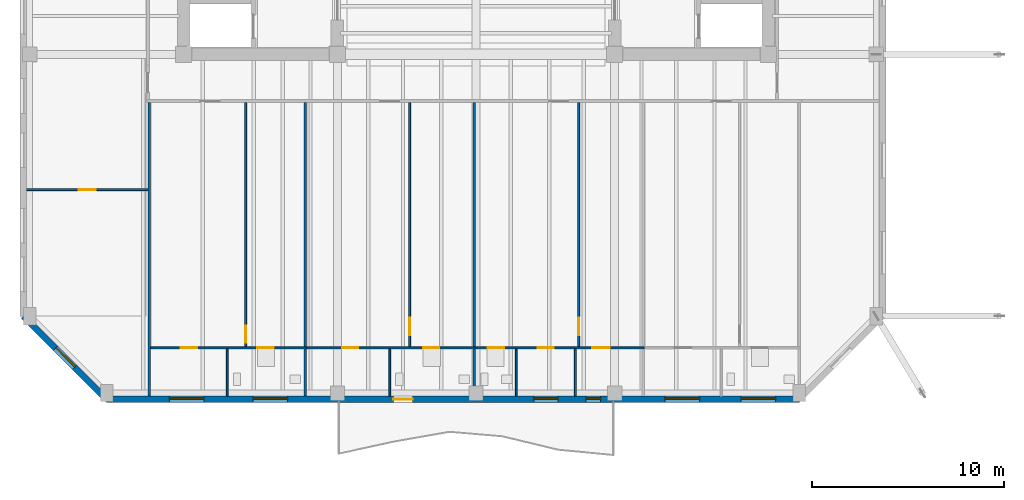
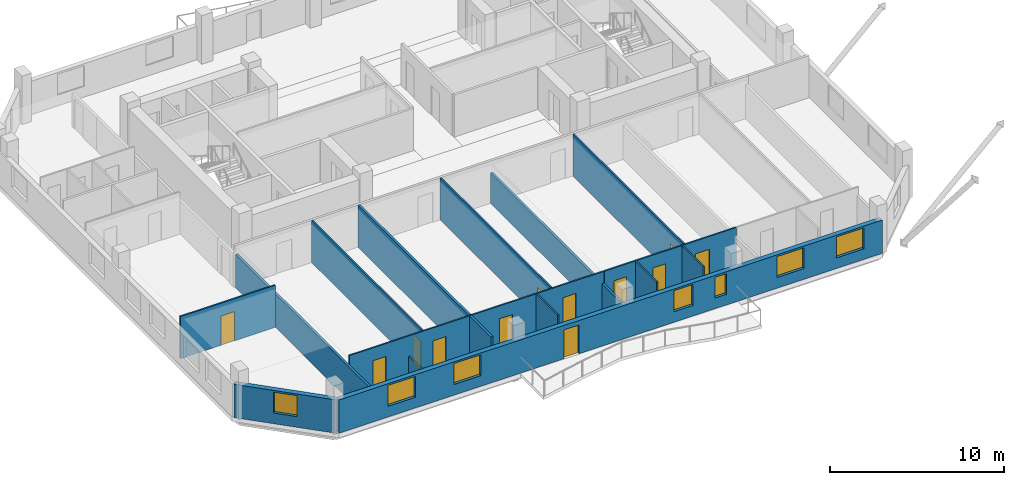
# One storey, part 4 of 12: 16 walls, 12 doors, 7 windows, 19 openings.
"""IFC4 building model written with IfcOpenShell, lengths in metres."""

from ifc_helpers import new_model, si_unit, direction, frame, frame_2d, origin, place, context, subcontext, project, spatial, rectangle, extrude, material, layer, layer_set, type_object, element, fill, save


model = new_model("IFC4")

# Units and contexts
model_context = context("Model", 3, precision=1e-05, world=origin(), true_north=direction((0.0, 1.0)))
body_context = subcontext(model_context, "Body", "Model", "MODEL_VIEW")
ifc_project = project(units=[si_unit("LENGTHUNIT", "METRE"), si_unit("AREAUNIT", "SQUARE_METRE"), si_unit("VOLUMEUNIT", "CUBIC_METRE"), si_unit("PLANEANGLEUNIT", "RADIAN"), si_unit("MASSUNIT", "GRAM", prefix="KILO")], contexts=[model_context])

# Site, building, storey
site_placement = place(None, origin())
site = spatial("IfcSite", under=ifc_project, at=site_placement, CompositionType="ELEMENT")
building_placement = place(site_placement, origin())
building = spatial("IfcBuilding", under=site, at=building_placement, Name="Kranthara Brick Stack", CompositionType="ELEMENT")
storey_placement = place(building_placement, frame((0.0, 0.0, 224.5)))
storey = spatial("IfcBuildingStorey", under=building, at=storey_placement, Name="L58", CompositionType="ELEMENT", Elevation=224.5)

# Wall, openings, door, windows
ifc_material_1 = material(Name="Warm buff clay brick masonry M15", Category="masonry")
ifc_layer_1 = layer(ifc_material_1, 0.320068359375)
ifc_layer_set_1 = layer_set([ifc_layer_1], Name="Warm buff clay brick masonry M15")
wall_type_1 = type_object("IfcWallType", Name="WL-BRK-UPPR-320", PredefinedType="STANDARD", material=ifc_layer_set_1)
wall_1_placement = place(storey_placement, frame((44.800048828125, 2.8798828125, 0.0), z_axis=(0.0, 0.0, 1.0), x_axis=(-1.0, 0.0, 0.0)))
wall_1 = element("IfcWall", 1, at=wall_1_placement, inside=storey, type_object=wall_type_1, Name="L58 Exterior Brick Facade Wall SOUTH 1", PredefinedType="STANDARD", context=body_context, shape_type="SweptSolid", body=[
    extrude(rectangle(XDim=36.0, YDim=0.320068359375, at=frame_2d((18.0, 0.0))), origin(), (0.0, 0.0, 1.0), 2.3349609375),
])
opening_1_placement = place(wall_1_placement, frame((20.10009765625, 0.0, 0.0)))
opening_1 = element("IfcOpeningElement", 2, at=opening_1_placement, cuts=wall_1, Name="Opening D03", PredefinedType="OPENING", context=body_context, shape_type="SweptSolid", body=[
    extrude(rectangle(XDim=1.0, YDim=2.02001953125, at=frame_2d((0.5, 1.010009765625))), frame((0.0, 0.169921875, 0.0), z_axis=(0.0, -1.0, 0.0), x_axis=(1.0, 0.0, 0.0)), (0.0, 0.0, 1.0), 0.340087890625),
])
opening_2_placement = place(wall_1_placement, frame((1.22705078125, 0.0, 0.75)))
opening_2 = element("IfcOpeningElement", 3, at=opening_2_placement, cuts=wall_1, Name="Opening WN07", PredefinedType="OPENING", context=body_context, shape_type="SweptSolid", body=[
    extrude(rectangle(XDim=1.800048828125, YDim=1.465087890625, at=frame_2d((0.89990234375, 0.732421875))), frame((0.0, 0.169921875, 0.0), z_axis=(0.0, -1.0, 0.0), x_axis=(1.0, 0.0, 0.0)), (0.0, 0.0, 1.0), 0.340087890625),
])
opening_3_placement = place(wall_1_placement, frame((5.179931640625, 0.0, 0.75)))
opening_3 = element("IfcOpeningElement", 4, at=opening_3_placement, cuts=wall_1, Name="Opening WN07", PredefinedType="OPENING", context=body_context, shape_type="SweptSolid", body=[
    extrude(rectangle(XDim=1.800048828125, YDim=1.465087890625, at=frame_2d((0.89990234375, 0.732421875))), frame((0.0, 0.169921875, 0.0), z_axis=(0.0, -1.0, 0.0), x_axis=(1.0, 0.0, 0.0)), (0.0, 0.0, 1.0), 0.340087890625),
])
opening_4_placement = place(wall_1_placement, frame((12.548095703125, 0.0, 0.75)))
opening_4 = element("IfcOpeningElement", 5, at=opening_4_placement, cuts=wall_1, Name="Opening WN09", PredefinedType="OPENING", context=body_context, shape_type="SweptSolid", body=[
    extrude(rectangle(XDim=1.25, YDim=1.465087890625, at=frame_2d((0.625, 0.732421875))), frame((0.0, 0.169921875, 0.0), z_axis=(0.0, -1.0, 0.0), x_axis=(1.0, 0.0, 0.0)), (0.0, 0.0, 1.0), 0.340087890625),
])
opening_5_placement = place(wall_1_placement, frame((26.5869140625, 0.0, 0.75)))
opening_5 = element("IfcOpeningElement", 6, at=opening_5_placement, cuts=wall_1, Name="Opening WN07", PredefinedType="OPENING", context=body_context, shape_type="SweptSolid", body=[
    extrude(rectangle(XDim=1.800048828125, YDim=1.465087890625, at=frame_2d((0.89990234375, 0.732421875))), frame((0.0, 0.169921875, 0.0), z_axis=(0.0, -1.0, 0.0), x_axis=(1.0, 0.0, 0.0)), (0.0, 0.0, 1.0), 0.340087890625),
])
opening_6_placement = place(wall_1_placement, frame((30.93994140625, 0.0, 0.75)))
opening_6 = element("IfcOpeningElement", 7, at=opening_6_placement, cuts=wall_1, Name="Opening WN07", PredefinedType="OPENING", context=body_context, shape_type="SweptSolid", body=[
    extrude(rectangle(XDim=1.800048828125, YDim=1.465087890625, at=frame_2d((0.89990234375, 0.732421875))), frame((0.0, 0.169921875, 0.0), z_axis=(0.0, -1.0, 0.0), x_axis=(1.0, 0.0, 0.0)), (0.0, 0.0, 1.0), 0.340087890625),
])
opening_7_placement = place(wall_1_placement, frame((10.330078125, 0.0, 0.75)))
opening_7 = element("IfcOpeningElement", 8, at=opening_7_placement, cuts=wall_1, Name="Opening WN13", PredefinedType="OPENING", context=body_context, shape_type="SweptSolid", body=[
    extrude(rectangle(XDim=0.75, YDim=1.449951171875, at=frame_2d((0.375, 0.72509765625))), frame((0.0, 0.169921875, 0.0), z_axis=(0.0, -1.0, 0.0), x_axis=(1.0, 0.0, 0.0)), (0.0, 0.0, 1.0), 0.340087890625),
])
ifc_material_2 = material(Name="Bronze anodised aluminium and laminated glass", Category="aluminium")
door_type_1 = type_object("IfcDoorType", Name="DR-BALC-1000", OperationType="NOTDEFINED", PredefinedType="DOOR", material=ifc_material_2)
door_1_placement = place(opening_1_placement, origin())
door_1 = element("IfcDoor", 9, at=door_1_placement, inside=storey, type_object=door_type_1, Name="L58 South Balcony Terrace Door", OperationType="SINGLE_SWING_LEFT", OverallHeight=2.02001953125, OverallWidth=1.0, PredefinedType="DOOR", context=body_context, shape_type="SweptSolid", body=[
    extrude(rectangle(XDim=1.0, YDim=2.02001953125, at=frame_2d((0.5, 1.010009765625))), frame((0.0, 0.02490234375, 0.0), z_axis=(0.0, -1.0, 0.0), x_axis=(1.0, 0.0, 0.0)), (0.0, 0.0, 1.0), 0.050048828125),
])
fill(opening_1, door_1)
ifc_material_3 = material(Name="Double-glazed low-E solar control glass", Category="glass")
window_type_1 = type_object("IfcWindowType", Name="WN-CAS-750x1450", PartitioningType="SINGLE_PANEL", PredefinedType="WINDOW", material=ifc_material_3)
window_1_placement = place(opening_7_placement, origin())
window_1 = element("IfcWindow", 10, at=window_1_placement, inside=storey, type_object=window_type_1, Name="L58 South Deep-Set Casement Window 06", OverallHeight=1.449951171875, OverallWidth=0.75, PartitioningType="SINGLE_PANEL", PredefinedType="WINDOW", context=body_context, shape_type="SweptSolid", body=[
    extrude(rectangle(XDim=0.75, YDim=1.449951171875, at=frame_2d((0.375, 0.72509765625))), frame((0.0, -0.010009765625, 0.0), z_axis=(0.0, -1.0, 0.0), x_axis=(1.0, 0.0, 0.0)), (0.0, 0.0, 1.0), 0.06005859375),
])
fill(opening_7, window_1)
ifc_material_4 = material(Name="Double-glazed low-E solar control glass", Category="glass")
window_type_2 = type_object("IfcWindowType", Name="WN-RES-1250x1850", PartitioningType="SINGLE_PANEL", PredefinedType="WINDOW", material=ifc_material_4)
window_2_placement = place(opening_4_placement, origin())
window_2 = element("IfcWindow", 11, at=window_2_placement, inside=storey, type_object=window_type_2, Name="L58 South Deep-Set Brick Window 03", OverallHeight=1.465087890625, OverallWidth=1.25, PartitioningType="SINGLE_PANEL", PredefinedType="WINDOW", context=body_context, shape_type="SweptSolid", body=[
    extrude(rectangle(XDim=1.25, YDim=1.465087890625, at=frame_2d((0.625, 0.732421875))), frame((0.0, -0.010009765625, 0.0), z_axis=(0.0, -1.0, 0.0), x_axis=(1.0, 0.0, 0.0)), (0.0, 0.0, 1.0), 0.06005859375),
])
fill(opening_4, window_2)
ifc_material_5 = material(Name="Double-glazed low-E solar control glass", Category="glass")
window_type_3 = type_object("IfcWindowType", Name="WN-RES-1800x1850", PartitioningType="DOUBLE_PANEL_VERTICAL", PredefinedType="WINDOW", material=ifc_material_5)
window_3_placement = place(opening_2_placement, origin())
window_3 = element("IfcWindow", 12, at=window_3_placement, inside=storey, type_object=window_type_3, Name="L58 South Deep-Set Brick Window 01", OverallHeight=1.465087890625, OverallWidth=1.800048828125, PartitioningType="SINGLE_PANEL", PredefinedType="WINDOW", context=body_context, shape_type="SweptSolid", body=[
    extrude(rectangle(XDim=1.800048828125, YDim=1.465087890625, at=frame_2d((0.89990234375, 0.732421875))), frame((0.0, -0.010009765625, 0.0), z_axis=(0.0, -1.0, 0.0), x_axis=(1.0, 0.0, 0.0)), (0.0, 0.0, 1.0), 0.06005859375),
])
fill(opening_2, window_3)
window_4_placement = place(opening_3_placement, origin())
window_4 = element("IfcWindow", 13, at=window_4_placement, inside=storey, type_object=window_type_3, Name="L58 South Deep-Set Brick Window 02", OverallHeight=1.465087890625, OverallWidth=1.800048828125, PartitioningType="SINGLE_PANEL", PredefinedType="WINDOW", context=body_context, shape_type="SweptSolid", body=[
    extrude(rectangle(XDim=1.800048828125, YDim=1.465087890625, at=frame_2d((0.89990234375, 0.732421875))), frame((0.0, -0.010009765625, 0.0), z_axis=(0.0, -1.0, 0.0), x_axis=(1.0, 0.0, 0.0)), (0.0, 0.0, 1.0), 0.06005859375),
])
fill(opening_3, window_4)
window_5_placement = place(opening_5_placement, origin())
window_5 = element("IfcWindow", 14, at=window_5_placement, inside=storey, type_object=window_type_3, Name="L58 South Deep-Set Brick Window 04", OverallHeight=1.465087890625, OverallWidth=1.800048828125, PartitioningType="SINGLE_PANEL", PredefinedType="WINDOW", context=body_context, shape_type="SweptSolid", body=[
    extrude(rectangle(XDim=1.800048828125, YDim=1.465087890625, at=frame_2d((0.89990234375, 0.732421875))), frame((0.0, -0.010009765625, 0.0), z_axis=(0.0, -1.0, 0.0), x_axis=(1.0, 0.0, 0.0)), (0.0, 0.0, 1.0), 0.06005859375),
])
fill(opening_5, window_5)
window_6_placement = place(opening_6_placement, origin())
window_6 = element("IfcWindow", 15, at=window_6_placement, inside=storey, type_object=window_type_3, Name="L58 South Deep-Set Brick Window 05", OverallHeight=1.465087890625, OverallWidth=1.800048828125, PartitioningType="SINGLE_PANEL", PredefinedType="WINDOW", context=body_context, shape_type="SweptSolid", body=[
    extrude(rectangle(XDim=1.800048828125, YDim=1.465087890625, at=frame_2d((0.89990234375, 0.732421875))), frame((0.0, -0.010009765625, 0.0), z_axis=(0.0, -1.0, 0.0), x_axis=(1.0, 0.0, 0.0)), (0.0, 0.0, 1.0), 0.06005859375),
])
fill(opening_6, window_6)

# Wall, opening, window
wall_2_placement = place(storey_placement, frame((8.800048828125, 2.8798828125, 0.0), z_axis=(0.0, 0.0, 1.0), x_axis=(-0.707106781187, 0.707106781187, 0.0)))
wall_2 = element("IfcWall", 16, at=wall_2_placement, inside=storey, type_object=wall_type_1, Name="L58 Exterior Brick Facade Wall SW 1", PredefinedType="STANDARD", context=body_context, shape_type="SweptSolid", body=[
    extrude(rectangle(XDim=6.109619140625, YDim=0.320068359375, at=frame_2d((3.0546875, 0.0))), origin(), (0.0, 0.0, 1.0), 2.3349609375),
])
opening_8_placement = place(wall_2_placement, frame((2.35498046875, 0.0, 0.75)))
opening_8 = element("IfcOpeningElement", 17, at=opening_8_placement, cuts=wall_2, Name="Opening WN10", PredefinedType="OPENING", context=body_context, shape_type="SweptSolid", body=[
    extrude(rectangle(XDim=1.39990234375, YDim=1.465087890625, at=frame_2d((0.699951171875, 0.732421875))), frame((0.0, 0.169921875, 0.0), z_axis=(0.0, -1.0, 0.0), x_axis=(1.0, 0.0, 0.0)), (0.0, 0.0, 1.0), 0.340087890625),
])
ifc_material_6 = material(Name="Double-glazed low-E solar control glass", Category="glass")
window_type_4 = type_object("IfcWindowType", Name="WN-CHM-1400x1750", PartitioningType="SINGLE_PANEL", PredefinedType="WINDOW", material=ifc_material_6)
window_7_placement = place(opening_8_placement, origin())
window_7 = element("IfcWindow", 18, at=window_7_placement, inside=storey, type_object=window_type_4, Name="L58 SW Chamfer Corner Window", OverallHeight=1.465087890625, OverallWidth=1.39990234375, PartitioningType="SINGLE_PANEL", PredefinedType="WINDOW", context=body_context, shape_type="SweptSolid", body=[
    extrude(rectangle(XDim=1.39990234375, YDim=1.465087890625, at=frame_2d((0.699951171875, 0.732421875))), frame((0.0, -0.010009765625, 0.0), z_axis=(0.0, -1.0, 0.0), x_axis=(1.0, 0.0, 0.0)), (0.0, 0.0, 1.0), 0.06005859375),
])
fill(opening_8, window_7)

# Wall, openings, doors
ifc_material_7 = material(Name="Moisture-resistant wet-room partition", Category="other")
ifc_layer_2 = layer(ifc_material_7, 0.10009765625)
ifc_layer_set_2 = layer_set([ifc_layer_2], Name="Moisture-resistant wet-room partition")
wall_type_2 = type_object("IfcWallType", Name="WL-PART-100", PredefinedType="PARTITIONING", material=ifc_layer_set_2)
wall_3_placement = place(storey_placement, frame((11.10009765625, 5.550048828125, 0.0), z_axis=(0.0, 0.0, 1.0), x_axis=(1.0, 0.0, 0.0)))
wall_3 = element("IfcWall", 19, at=wall_3_placement, inside=storey, type_object=wall_type_2, Name="L58 Interior Partition 012", PredefinedType="PARTITIONING", context=body_context, shape_type="SweptSolid", body=[
    extrude(rectangle(XDim=8.06689453125, YDim=0.10009765625, at=frame_2d((4.033447265625, 0.0))), origin(), (0.0, 0.0, 1.0), 2.949951171875),
])
opening_9_placement = place(wall_3_placement, frame((1.56201171875, 0.0, 0.0)))
opening_9 = element("IfcOpeningElement", 20, at=opening_9_placement, cuts=wall_3, Name="Opening D16", PredefinedType="OPENING", context=body_context, shape_type="SweptSolid", body=[
    extrude(rectangle(XDim=0.85009765625, YDim=2.050048828125, at=frame_2d((0.425048828125, 1.02490234375))), frame((0.0, 0.06005859375, 0.0), z_axis=(0.0, -1.0, 0.0), x_axis=(1.0, 0.0, 0.0)), (0.0, 0.0, 1.0), 0.1201171875),
])
opening_10_placement = place(wall_3_placement, frame((5.534912109375, 0.0, 0.0)))
opening_10 = element("IfcOpeningElement", 21, at=opening_10_placement, cuts=wall_3, Name="Opening D17", PredefinedType="OPENING", context=body_context, shape_type="SweptSolid", body=[
    extrude(rectangle(XDim=0.85009765625, YDim=2.050048828125, at=frame_2d((0.425048828125, 1.02490234375))), frame((0.0, 0.06005859375, 0.0), z_axis=(0.0, -1.0, 0.0), x_axis=(1.0, 0.0, 0.0)), (0.0, 0.0, 1.0), 0.1201171875),
])
ifc_material_8 = material(Name="Solid-core hardwood timber leaf in steel frame", Category="steel")
door_type_2 = type_object("IfcDoorType", Name="DR-INT-850", OperationType="NOTDEFINED", PredefinedType="DOOR", material=ifc_material_8)
door_2_placement = place(opening_9_placement, origin())
door_2 = element("IfcDoor", 22, at=door_2_placement, inside=storey, type_object=door_type_2, Name="L58 Unit L58A Kitchen 10", OperationType="SINGLE_SWING_RIGHT", OverallHeight=2.050048828125, OverallWidth=0.85009765625, PredefinedType="DOOR", context=body_context, shape_type="SweptSolid", body=[
    extrude(rectangle(XDim=0.85009765625, YDim=2.050048828125, at=frame_2d((0.425048828125, 1.02490234375))), frame((0.0, 0.02490234375, 0.0), z_axis=(0.0, -1.0, 0.0), x_axis=(1.0, 0.0, 0.0)), (0.0, 0.0, 1.0), 0.050048828125),
])
fill(opening_9, door_2)
ifc_material_9 = material(Name="Solid-core hardwood timber leaf in steel frame", Category="steel")
door_type_3 = type_object("IfcDoorType", Name="DR-WET-850", OperationType="NOTDEFINED", PredefinedType="DOOR", material=ifc_material_9)
door_3_placement = place(opening_10_placement, origin())
door_3 = element("IfcDoor", 23, at=door_3_placement, inside=storey, type_object=door_type_3, Name="L58 Unit L58A Bathroom 11", OperationType="SINGLE_SWING_LEFT", OverallHeight=2.050048828125, OverallWidth=0.85009765625, PredefinedType="DOOR", context=body_context, shape_type="SweptSolid", body=[
    extrude(rectangle(XDim=0.85009765625, YDim=2.050048828125, at=frame_2d((0.425048828125, 1.02490234375))), frame((0.0, 0.02490234375, 0.0), z_axis=(0.0, -1.0, 0.0), x_axis=(1.0, 0.0, 0.0)), (0.0, 0.0, 1.0), 0.050048828125),
])
fill(opening_10, door_3)

# Wall, opening, door
wall_4_placement = place(storey_placement, frame((16.027099609375, 5.60498046875, 0.0), z_axis=(0.0, 0.0, 1.0), x_axis=(0.0, 1.0, 0.0)))
wall_4 = element("IfcWall", 24, at=wall_4_placement, inside=storey, type_object=wall_type_2, Name="L58 Interior Partition 013", PredefinedType="PARTITIONING", context=body_context, shape_type="SweptSolid", body=[
    extrude(rectangle(XDim=12.695068359375, YDim=0.10009765625, at=frame_2d((6.34765625, 0.0))), origin(), (0.0, 0.0, 1.0), 2.949951171875),
])
opening_11_placement = place(wall_4_placement, frame((0.205078125, 0.0, 0.0)))
opening_11 = element("IfcOpeningElement", 25, at=opening_11_placement, cuts=wall_4, Name="Opening D15", PredefinedType="OPENING", context=body_context, shape_type="SweptSolid", body=[
    extrude(rectangle(XDim=0.89990234375, YDim=2.050048828125, at=frame_2d((0.449951171875, 1.02490234375))), frame((0.0, 0.06005859375, 0.0), z_axis=(0.0, -1.0, 0.0), x_axis=(1.0, 0.0, 0.0)), (0.0, 0.0, 1.0), 0.1201171875),
])
ifc_material_10 = material(Name="Solid-core hardwood timber leaf in steel frame", Category="steel")
door_type_4 = type_object("IfcDoorType", Name="DR-INT-900", OperationType="NOTDEFINED", PredefinedType="DOOR", material=ifc_material_10)
door_4_placement = place(opening_11_placement, origin())
door_4 = element("IfcDoor", 26, at=door_4_placement, inside=storey, type_object=door_type_4, Name="L58 Unit L58A Study 09", OperationType="SINGLE_SWING_LEFT", OverallHeight=2.050048828125, OverallWidth=0.89990234375, PredefinedType="DOOR", context=body_context, shape_type="SweptSolid", body=[
    extrude(rectangle(XDim=0.89990234375, YDim=2.050048828125, at=frame_2d((0.449951171875, 1.02490234375))), frame((0.0, 0.02490234375, 0.0), z_axis=(0.0, -1.0, 0.0), x_axis=(1.0, 0.0, 0.0)), (0.0, 0.0, 1.0), 0.050048828125),
])
fill(opening_11, door_4)

# Wall
wall_5_placement = place(storey_placement, frame((15.072998046875, 3.044921875, 0.0), z_axis=(0.0, 0.0, 1.0), x_axis=(0.0, 1.0, 0.0)))
element("IfcWall", 27, at=wall_5_placement, inside=storey, type_object=wall_type_2, Name="L58 Interior Partition 014", PredefinedType="PARTITIONING", context=body_context, shape_type="SweptSolid", body=[
    extrude(rectangle(XDim=2.4501953125, YDim=0.10009765625, at=frame_2d((1.22509765625, 0.0))), origin(), (0.0, 0.0, 1.0), 1.534912109375),
])

# Wall, openings, doors
wall_6_placement = place(storey_placement, frame((19.20703125, 5.550048828125, 0.0), z_axis=(0.0, 0.0, 1.0), x_axis=(1.0, 0.0, 0.0)))
wall_6 = element("IfcWall", 28, at=wall_6_placement, inside=storey, type_object=wall_type_2, Name="L58 Interior Partition 016", PredefinedType="PARTITIONING", context=body_context, shape_type="SweptSolid", body=[
    extrude(rectangle(XDim=8.742919921875, YDim=0.10009765625, at=frame_2d((4.37158203125, 0.0))), origin(), (0.0, 0.0, 1.0), 2.949951171875),
])
opening_12_placement = place(wall_6_placement, frame((1.830078125, 0.0, 0.0)))
opening_12 = element("IfcOpeningElement", 29, at=opening_12_placement, cuts=wall_6, Name="Opening D16", PredefinedType="OPENING", context=body_context, shape_type="SweptSolid", body=[
    extrude(rectangle(XDim=0.85009765625, YDim=2.050048828125, at=frame_2d((0.425048828125, 1.02490234375))), frame((0.0, 0.06005859375, 0.0), z_axis=(0.0, -1.0, 0.0), x_axis=(1.0, 0.0, 0.0)), (0.0, 0.0, 1.0), 0.1201171875),
])
opening_13_placement = place(wall_6_placement, frame((6.0419921875, 0.0, 0.0)))
opening_13 = element("IfcOpeningElement", 30, at=opening_13_placement, cuts=wall_6, Name="Opening D17", PredefinedType="OPENING", context=body_context, shape_type="SweptSolid", body=[
    extrude(rectangle(XDim=0.85009765625, YDim=2.050048828125, at=frame_2d((0.425048828125, 1.02490234375))), frame((0.0, 0.06005859375, 0.0), z_axis=(0.0, -1.0, 0.0), x_axis=(1.0, 0.0, 0.0)), (0.0, 0.0, 1.0), 0.1201171875),
])
door_5_placement = place(opening_12_placement, origin())
door_5 = element("IfcDoor", 31, at=door_5_placement, inside=storey, type_object=door_type_2, Name="L58 Unit L58B Kitchen 14", OperationType="SINGLE_SWING_RIGHT", OverallHeight=2.050048828125, OverallWidth=0.85009765625, PredefinedType="DOOR", context=body_context, shape_type="SweptSolid", body=[
    extrude(rectangle(XDim=0.85009765625, YDim=2.050048828125, at=frame_2d((0.425048828125, 1.02490234375))), frame((0.0, 0.02490234375, 0.0), z_axis=(0.0, -1.0, 0.0), x_axis=(1.0, 0.0, 0.0)), (0.0, 0.0, 1.0), 0.050048828125),
])
fill(opening_12, door_5)
door_6_placement = place(opening_13_placement, origin())
door_6 = element("IfcDoor", 32, at=door_6_placement, inside=storey, type_object=door_type_3, Name="L58 Unit L58B Bathroom 15", OperationType="SINGLE_SWING_LEFT", OverallHeight=2.050048828125, OverallWidth=0.85009765625, PredefinedType="DOOR", context=body_context, shape_type="SweptSolid", body=[
    extrude(rectangle(XDim=0.85009765625, YDim=2.050048828125, at=frame_2d((0.425048828125, 1.02490234375))), frame((0.0, 0.02490234375, 0.0), z_axis=(0.0, -1.0, 0.0), x_axis=(1.0, 0.0, 0.0)), (0.0, 0.0, 1.0), 0.050048828125),
])
fill(opening_13, door_6)

# Wall, opening, door
wall_7_placement = place(storey_placement, frame((24.552978515625, 5.60498046875, 0.0), z_axis=(0.0, 0.0, 1.0), x_axis=(0.0, 1.0, 0.0)))
wall_7 = element("IfcWall", 33, at=wall_7_placement, inside=storey, type_object=wall_type_2, Name="L58 Interior Partition 017", PredefinedType="PARTITIONING", context=body_context, shape_type="SweptSolid", body=[
    extrude(rectangle(XDim=12.695068359375, YDim=0.10009765625, at=frame_2d((6.34765625, 0.0))), origin(), (0.0, 0.0, 1.0), 2.949951171875),
])
opening_14_placement = place(wall_7_placement, frame((0.60498046875, 0.0, 0.0)))
opening_14 = element("IfcOpeningElement", 34, at=opening_14_placement, cuts=wall_7, Name="Opening D15", PredefinedType="OPENING", context=body_context, shape_type="SweptSolid", body=[
    extrude(rectangle(XDim=0.89990234375, YDim=2.050048828125, at=frame_2d((0.449951171875, 1.02490234375))), frame((0.0, 0.06005859375, 0.0), z_axis=(0.0, -1.0, 0.0), x_axis=(1.0, 0.0, 0.0)), (0.0, 0.0, 1.0), 0.1201171875),
])
door_7_placement = place(opening_14_placement, origin())
door_7 = element("IfcDoor", 35, at=door_7_placement, inside=storey, type_object=door_type_4, Name="L58 Unit L58B Study 13", OperationType="SINGLE_SWING_LEFT", OverallHeight=2.050048828125, OverallWidth=0.89990234375, PredefinedType="DOOR", context=body_context, shape_type="SweptSolid", body=[
    extrude(rectangle(XDim=0.89990234375, YDim=2.050048828125, at=frame_2d((0.449951171875, 1.02490234375))), frame((0.0, 0.02490234375, 0.0), z_axis=(0.0, -1.0, 0.0), x_axis=(1.0, 0.0, 0.0)), (0.0, 0.0, 1.0), 0.050048828125),
])
fill(opening_14, door_7)

# Wall
wall_8_placement = place(storey_placement, frame((23.51806640625, 3.044921875, 0.0), z_axis=(0.0, 0.0, 1.0), x_axis=(0.0, 1.0, 0.0)))
element("IfcWall", 36, at=wall_8_placement, inside=storey, type_object=wall_type_2, Name="L58 Interior Partition 018", PredefinedType="PARTITIONING", context=body_context, shape_type="SweptSolid", body=[
    extrude(rectangle(XDim=2.4501953125, YDim=0.10009765625, at=frame_2d((1.22509765625, 0.0))), origin(), (0.0, 0.0, 1.0), 2.949951171875),
])

# Wall, openings, doors
wall_9_placement = place(storey_placement, frame((27.989990234375, 5.550048828125, 0.0), z_axis=(0.0, 0.0, 1.0), x_axis=(1.0, 0.0, 0.0)))
wall_9 = element("IfcWall", 37, at=wall_9_placement, inside=storey, type_object=wall_type_2, Name="L58 Interior Partition 020", PredefinedType="PARTITIONING", context=body_context, shape_type="SweptSolid", body=[
    extrude(rectangle(XDim=8.742919921875, YDim=0.10009765625, at=frame_2d((4.37158203125, 0.0))), origin(), (0.0, 0.0, 1.0), 2.949951171875),
])
opening_15_placement = place(wall_9_placement, frame((0.625, 0.0, 0.0)))
opening_15 = element("IfcOpeningElement", 38, at=opening_15_placement, cuts=wall_9, Name="Opening D17", PredefinedType="OPENING", context=body_context, shape_type="SweptSolid", body=[
    extrude(rectangle(XDim=0.85009765625, YDim=2.050048828125, at=frame_2d((0.425048828125, 1.02490234375))), frame((0.0, 0.06005859375, 0.0), z_axis=(0.0, -1.0, 0.0), x_axis=(1.0, 0.0, 0.0)), (0.0, 0.0, 1.0), 0.1201171875),
])
opening_16_placement = place(wall_9_placement, frame((3.2119140625, 0.0, 0.0)))
opening_16 = element("IfcOpeningElement", 39, at=opening_16_placement, cuts=wall_9, Name="Opening D16", PredefinedType="OPENING", context=body_context, shape_type="SweptSolid", body=[
    extrude(rectangle(XDim=0.85009765625, YDim=2.050048828125, at=frame_2d((0.425048828125, 1.02490234375))), frame((0.0, 0.06005859375, 0.0), z_axis=(0.0, -1.0, 0.0), x_axis=(1.0, 0.0, 0.0)), (0.0, 0.0, 1.0), 0.1201171875),
])
opening_17_placement = place(wall_9_placement, frame((6.049072265625, 0.0, 0.0)))
opening_17 = element("IfcOpeningElement", 40, at=opening_17_placement, cuts=wall_9, Name="Opening D15", PredefinedType="OPENING", context=body_context, shape_type="SweptSolid", body=[
    extrude(rectangle(XDim=0.89990234375, YDim=2.050048828125, at=frame_2d((0.449951171875, 1.02490234375))), frame((0.0, 0.06005859375, 0.0), z_axis=(0.0, -1.0, 0.0), x_axis=(1.0, 0.0, 0.0)), (0.0, 0.0, 1.0), 0.1201171875),
])
door_8_placement = place(opening_16_placement, origin())
door_8 = element("IfcDoor", 41, at=door_8_placement, inside=storey, type_object=door_type_2, Name="L58 Unit L58C Kitchen 19", OperationType="SINGLE_SWING_LEFT", OverallHeight=2.050048828125, OverallWidth=0.85009765625, PredefinedType="DOOR", context=body_context, shape_type="SweptSolid", body=[
    extrude(rectangle(XDim=0.85009765625, YDim=2.050048828125, at=frame_2d((0.425048828125, 1.02490234375))), frame((0.0, 0.02490234375, 0.0), z_axis=(0.0, -1.0, 0.0), x_axis=(1.0, 0.0, 0.0)), (0.0, 0.0, 1.0), 0.050048828125),
])
fill(opening_16, door_8)
door_9_placement = place(opening_17_placement, origin())
door_9 = element("IfcDoor", 42, at=door_9_placement, inside=storey, type_object=door_type_4, Name="L58 Unit L58C Bedroom 20", OperationType="SINGLE_SWING_RIGHT", OverallHeight=2.050048828125, OverallWidth=0.89990234375, PredefinedType="DOOR", context=body_context, shape_type="SweptSolid", body=[
    extrude(rectangle(XDim=0.89990234375, YDim=2.050048828125, at=frame_2d((0.449951171875, 1.02490234375))), frame((0.0, 0.02490234375, 0.0), z_axis=(0.0, -1.0, 0.0), x_axis=(1.0, 0.0, 0.0)), (0.0, 0.0, 1.0), 0.050048828125),
])
fill(opening_17, door_9)
door_10_placement = place(opening_15_placement, origin())
door_10 = element("IfcDoor", 43, at=door_10_placement, inside=storey, type_object=door_type_3, Name="L58 Unit L58C Bathroom 18", OperationType="SINGLE_SWING_RIGHT", OverallHeight=2.050048828125, OverallWidth=0.85009765625, PredefinedType="DOOR", context=body_context, shape_type="SweptSolid", body=[
    extrude(rectangle(XDim=0.85009765625, YDim=2.050048828125, at=frame_2d((0.425048828125, 1.02490234375))), frame((0.0, 0.02490234375, 0.0), z_axis=(0.0, -1.0, 0.0), x_axis=(1.0, 0.0, 0.0)), (0.0, 0.0, 1.0), 0.050048828125),
])
fill(opening_15, door_10)

# Wall, opening, door
wall_10_placement = place(storey_placement, frame((33.3359375, 5.60498046875, 0.0), z_axis=(0.0, 0.0, 1.0), x_axis=(0.0, 1.0, 0.0)))
wall_10 = element("IfcWall", 44, at=wall_10_placement, inside=storey, type_object=wall_type_2, Name="L58 Interior Partition 021", PredefinedType="PARTITIONING", context=body_context, shape_type="SweptSolid", body=[
    extrude(rectangle(XDim=12.695068359375, YDim=0.10009765625, at=frame_2d((6.34765625, 0.0))), origin(), (0.0, 0.0, 1.0), 2.949951171875),
])
opening_18_placement = place(wall_10_placement, frame((0.60498046875, 0.0, 0.0)))
opening_18 = element("IfcOpeningElement", 45, at=opening_18_placement, cuts=wall_10, Name="Opening D15", PredefinedType="OPENING", context=body_context, shape_type="SweptSolid", body=[
    extrude(rectangle(XDim=0.89990234375, YDim=2.050048828125, at=frame_2d((0.449951171875, 1.02490234375))), frame((0.0, 0.06005859375, 0.0), z_axis=(0.0, -1.0, 0.0), x_axis=(1.0, 0.0, 0.0)), (0.0, 0.0, 1.0), 0.1201171875),
])
door_11_placement = place(opening_18_placement, origin())
door_11 = element("IfcDoor", 46, at=door_11_placement, inside=storey, type_object=door_type_4, Name="L58 Unit L58C Study 17", OperationType="SINGLE_SWING_LEFT", OverallHeight=2.050048828125, OverallWidth=0.89990234375, PredefinedType="DOOR", context=body_context, shape_type="SweptSolid", body=[
    extrude(rectangle(XDim=0.89990234375, YDim=2.050048828125, at=frame_2d((0.449951171875, 1.02490234375))), frame((0.0, 0.02490234375, 0.0), z_axis=(0.0, -1.0, 0.0), x_axis=(1.0, 0.0, 0.0)), (0.0, 0.0, 1.0), 0.050048828125),
])
fill(opening_18, door_11)

# Walls
for number, where, z_axis, x_axis, name in (
    (47, (30.090087890625, 3.044921875, 0.0), (0.0, 0.0, 1.0), (0.0, 1.0, 0.0), "L58 Interior Partition 022"),
    (48, (33.1640625, 3.044921875, 0.0), (0.0, 0.0, 1.0), (0.0, 1.0, 0.0), "L58 Interior Partition 023"),
):
    element("IfcWall", number, at=place(storey_placement, frame(where, z_axis=z_axis, x_axis=x_axis)), inside=storey, type_object=wall_type_2, Name=name, PredefinedType="PARTITIONING", context=body_context, shape_type="SweptSolid", body=[
        extrude(rectangle(XDim=2.4501953125, YDim=0.10009765625, at=frame_2d((1.22509765625, 0.0))), origin(), (0.0, 0.0, 1.0), 2.949951171875),
    ])

# Wall, opening, door
wall_11_placement = place(storey_placement, frame((4.64501953125, 13.778076171875, 0.0), z_axis=(0.0, 0.0, 1.0), x_axis=(1.0, 0.0, 0.0)))
wall_11 = element("IfcWall", 49, at=wall_11_placement, inside=storey, type_object=wall_type_2, Name="L58 Interior Partition 036", PredefinedType="PARTITIONING", context=body_context, shape_type="SweptSolid", body=[
    extrude(rectangle(XDim=6.294921875, YDim=0.10009765625, at=frame_2d((3.1474609375, 0.0))), origin(), (0.0, 0.0, 1.0), 2.949951171875),
])
opening_19_placement = place(wall_11_placement, frame((2.696044921875, 0.0, 0.0)))
opening_19 = element("IfcOpeningElement", 50, at=opening_19_placement, cuts=wall_11, Name="Opening D15", PredefinedType="OPENING", context=body_context, shape_type="SweptSolid", body=[
    extrude(rectangle(XDim=0.89990234375, YDim=2.050048828125, at=frame_2d((0.449951171875, 1.02490234375))), frame((0.0, 0.06005859375, 0.0), z_axis=(0.0, -1.0, 0.0), x_axis=(1.0, 0.0, 0.0)), (0.0, 0.0, 1.0), 0.1201171875),
])
door_12_placement = place(opening_19_placement, origin())
door_12 = element("IfcDoor", 51, at=door_12_placement, inside=storey, type_object=door_type_4, Name="L58 Unit L58E Study 26", OperationType="SINGLE_SWING_RIGHT", OverallHeight=2.050048828125, OverallWidth=0.89990234375, PredefinedType="DOOR", context=body_context, shape_type="SweptSolid", body=[
    extrude(rectangle(XDim=0.89990234375, YDim=2.050048828125, at=frame_2d((0.449951171875, 1.02490234375))), frame((0.0, 0.02490234375, 0.0), z_axis=(0.0, -1.0, 0.0), x_axis=(1.0, 0.0, 0.0)), (0.0, 0.0, 1.0), 0.050048828125),
])
fill(opening_19, door_12)

# Walls
ifc_material_11 = material(Name="Fire-rated gypsum board partition", Category="other")
ifc_layer_3 = layer(ifc_material_11, 0.14990234375)
ifc_layer_set_3 = layer_set([ifc_layer_3], Name="Fire-rated gypsum board partition")
wall_type_3 = type_object("IfcWallType", Name="WL-PART-150", PredefinedType="PARTITIONING", material=ifc_layer_set_3)
wall_12_placement = place(storey_placement, frame((11.02001953125, 3.044921875, 0.0), z_axis=(0.0, 0.0, 1.0), x_axis=(0.0, 1.0, 0.0)))
element("IfcWall", 52, at=wall_12_placement, inside=storey, type_object=wall_type_3, Name="L58 Interior Partition 011", PredefinedType="PARTITIONING", context=body_context, shape_type="SweptSolid", body=[
    extrude(rectangle(XDim=15.255126953125, YDim=0.14990234375, at=frame_2d((7.62744140625, 0.0))), origin(), (0.0, 0.0, 1.0), 2.3349609375),
])
wall_13_placement = place(storey_placement, frame((19.126953125, 3.044921875, 0.0), z_axis=(0.0, 0.0, 1.0), x_axis=(0.0, 1.0, 0.0)))
element("IfcWall", 53, at=wall_13_placement, inside=storey, type_object=wall_type_3, Name="L58 Interior Partition 015", PredefinedType="PARTITIONING", context=body_context, shape_type="SweptSolid", body=[
    extrude(rectangle(XDim=15.255126953125, YDim=0.14990234375, at=frame_2d((7.62744140625, 0.0))), origin(), (0.0, 0.0, 1.0), 2.949951171875),
])
wall_14_placement = place(storey_placement, frame((27.909912109375, 3.044921875, 0.0), z_axis=(0.0, 0.0, 1.0), x_axis=(0.0, 1.0, 0.0)))
element("IfcWall", 54, at=wall_14_placement, inside=storey, type_object=wall_type_3, Name="L58 Interior Partition 019", PredefinedType="PARTITIONING", context=body_context, shape_type="SweptSolid", body=[
    extrude(rectangle(XDim=15.255126953125, YDim=0.14990234375, at=frame_2d((7.62744140625, 0.0))), origin(), (0.0, 0.0, 1.0), 2.135009765625),
])

save(model, "model.ifc")
